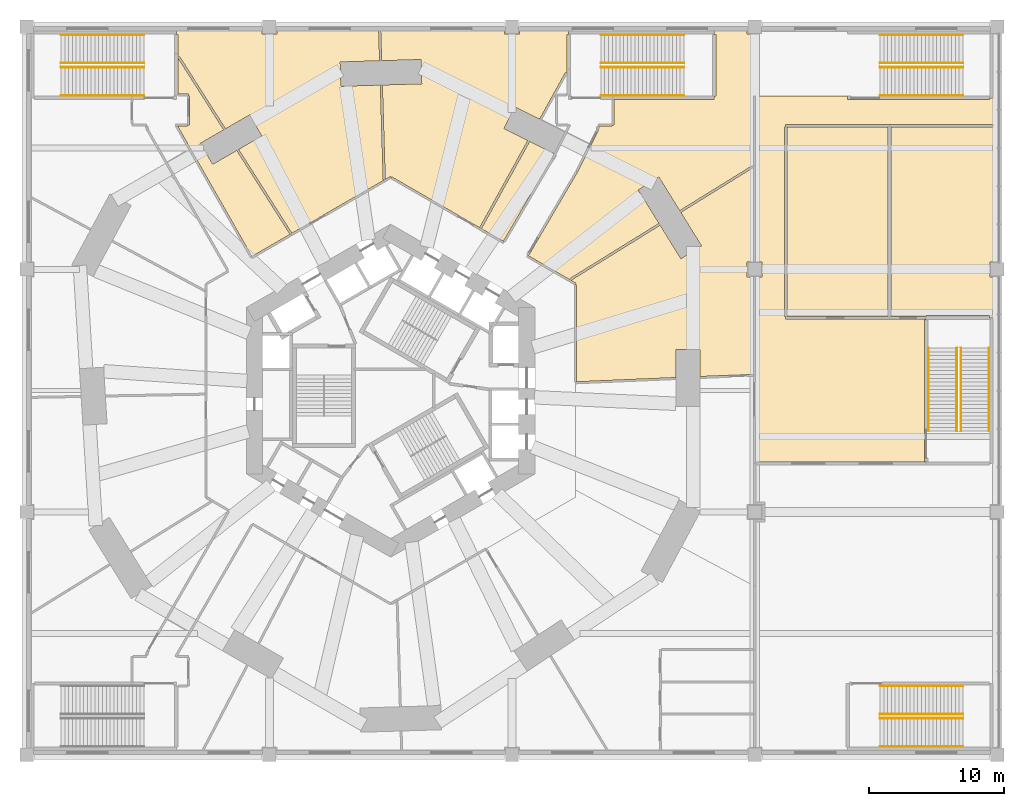
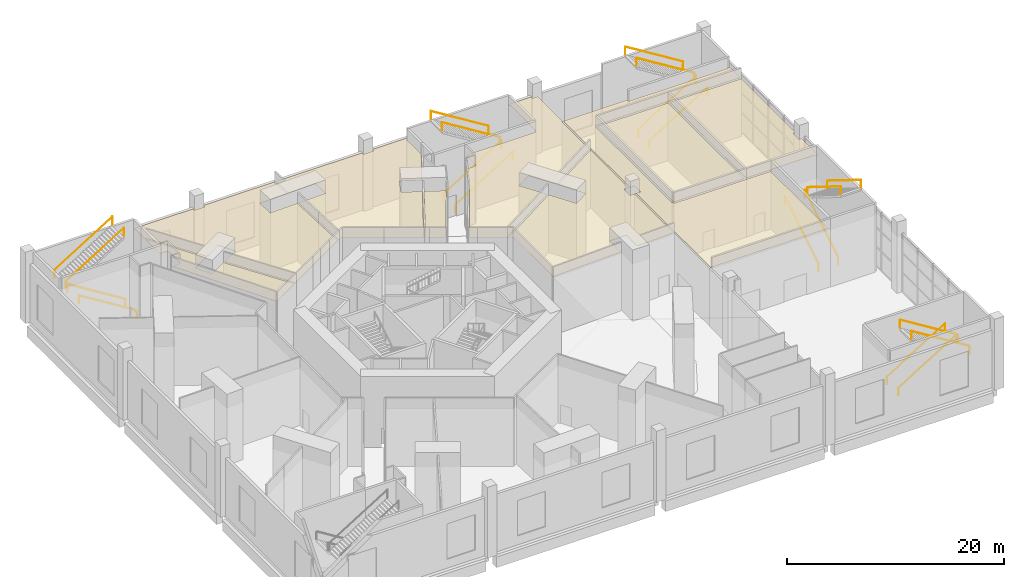
# One storey, part 15 of 15: 20 railings, 9 coverings.
"""IFC4 building model written with IfcOpenShell, lengths in metres."""

from ifc_helpers import new_model, si_unit, direction, frame, origin, origin_2d, place, context, subcontext, project, spatial, polyline, circle, outline, extrude, material, layer, layer_set, type_object, element, save


model = new_model("IFC4")

# Units and contexts
model_context = context("Model", 3, precision=1e-05, world=origin(), true_north=direction((0.0, 1.0)))
body_context = subcontext(model_context, "Body", "Model", "MODEL_VIEW")
ifc_project = project(units=[si_unit("LENGTHUNIT", "METRE"), si_unit("AREAUNIT", "SQUARE_METRE"), si_unit("VOLUMEUNIT", "CUBIC_METRE"), si_unit("PLANEANGLEUNIT", "RADIAN"), si_unit("MASSUNIT", "GRAM", prefix="KILO")], contexts=[model_context])

# Site, building, storey
site_placement = place(None, origin())
site = spatial("IfcSite", under=ifc_project, at=site_placement, CompositionType="ELEMENT")
building_placement = place(site_placement, origin())
building = spatial("IfcBuilding", under=site, at=building_placement, Name="Vanh Sen Convention Tower", CompositionType="ELEMENT")
storey_placement = place(building_placement, frame((0.0, 0.0, 13.0)))
storey = spatial("IfcBuildingStorey", under=building, at=storey_placement, Name="L02", CompositionType="ELEMENT", Elevation=13.0)

# Railings
ifc_material_1 = material(Name="Stainless steel", Category="steel")
railing_type = type_object("IfcRailingType", Name="Podium handrail 900", PredefinedType="HANDRAIL", material=ifc_material_1)
for number, where, name in (
    (1, (36.300048828125, 21.89990234375, 0.173828125), "Handrail PS1 L02"),
    (2, (36.300048828125, 24.0, 0.173828125), "Handrail PS1 L02"),
):
    element("IfcRailing", number, at=place(storey_placement, frame(where)), inside=storey, type_object=railing_type, Name=name, PredefinedType="HANDRAIL", context=body_context, shape_type="SweptSolid", body=[
        extrude(circle(Radius=0.02392578125, at=origin_2d()), frame((0.0, 0.0, 0.8759765625), z_axis=(0.849468459523, 0.0, 0.527639399851), x_axis=(0.0, 1.0, 0.0)), (0.0, 0.0, 1.0), 7.25146484375),
        extrude(circle(Radius=0.02099609375, at=origin_2d()), origin(), (0.0, 0.0, 1.0), 0.851806640625),
        extrude(circle(Radius=0.02099609375, at=origin_2d()), frame((6.159912109375, 0.0, 3.826171875)), (0.0, 0.0, 1.0), 0.851806640625),
    ])
for number, where, name in (
    (3, (42.4599609375, 26.39990234375, 4.173828125), "Handrail PS1 L02"),
    (4, (42.4599609375, 24.300048828125, 4.173828125), "Handrail PS1 L02"),
):
    element("IfcRailing", number, at=place(storey_placement, frame(where)), inside=storey, type_object=railing_type, Name=name, PredefinedType="HANDRAIL", context=body_context, shape_type="SweptSolid", body=[
        extrude(circle(Radius=0.02392578125, at=origin_2d()), frame((0.0, 0.0, 0.8759765625), z_axis=(-0.849468459523, 0.0, 0.527639399851), x_axis=(0.0, -1.0, 0.0)), (0.0, 0.0, 1.0), 7.25146484375),
        extrude(circle(Radius=0.02099609375, at=origin_2d()), origin(), (0.0, 0.0, 1.0), 0.851806640625),
        extrude(circle(Radius=0.02099609375, at=origin_2d()), frame((-6.159912109375, 0.0, 3.826171875)), (0.0, 0.0, 1.0), 0.851806640625),
    ])
for number, where, name in (
    (5, (36.300048828125, -21.89990234375, 0.173828125), "Handrail PS2 L02"),
    (6, (36.300048828125, -24.0, 0.173828125), "Handrail PS2 L02"),
):
    element("IfcRailing", number, at=place(storey_placement, frame(where)), inside=storey, type_object=railing_type, Name=name, PredefinedType="HANDRAIL", context=body_context, shape_type="SweptSolid", body=[
        extrude(circle(Radius=0.02392578125, at=origin_2d()), frame((0.0, 0.0, 0.8759765625), z_axis=(0.849468459523, 0.0, 0.527639399851), x_axis=(0.0, 1.0, 0.0)), (0.0, 0.0, 1.0), 7.25146484375),
        extrude(circle(Radius=0.02099609375, at=origin_2d()), origin(), (0.0, 0.0, 1.0), 0.851806640625),
        extrude(circle(Radius=0.02099609375, at=origin_2d()), frame((6.159912109375, 0.0, 3.826171875)), (0.0, 0.0, 1.0), 0.851806640625),
    ])
for number, where, name in (
    (7, (42.4599609375, -26.39990234375, 4.173828125), "Handrail PS2 L02"),
    (8, (42.4599609375, -24.300048828125, 4.173828125), "Handrail PS2 L02"),
):
    element("IfcRailing", number, at=place(storey_placement, frame(where)), inside=storey, type_object=railing_type, Name=name, PredefinedType="HANDRAIL", context=body_context, shape_type="SweptSolid", body=[
        extrude(circle(Radius=0.02392578125, at=origin_2d()), frame((0.0, 0.0, 0.8759765625), z_axis=(-0.849468459523, 0.0, 0.527639399851), x_axis=(0.0, -1.0, 0.0)), (0.0, 0.0, 1.0), 7.25146484375),
        extrude(circle(Radius=0.02099609375, at=origin_2d()), origin(), (0.0, 0.0, 1.0), 0.851806640625),
        extrude(circle(Radius=0.02099609375, at=origin_2d()), frame((-6.159912109375, 0.0, 3.826171875)), (0.0, 0.0, 1.0), 0.851806640625),
    ])
for number, where, name in (
    (9, (39.89990234375, -3.0, 0.173828125), "Handrail PS3 L02"),
    (10, (42.0, -3.0, 0.173828125), "Handrail PS3 L02"),
):
    element("IfcRailing", number, at=place(storey_placement, frame(where)), inside=storey, type_object=railing_type, Name=name, PredefinedType="HANDRAIL", context=body_context, shape_type="SweptSolid", body=[
        extrude(circle(Radius=0.02392578125, at=origin_2d()), frame((0.0, 0.0, 0.8759765625), z_axis=(0.0, 0.849468459523, 0.527639399851), x_axis=(-1.0, 0.0, 0.0)), (0.0, 0.0, 1.0), 7.25146484375),
        extrude(circle(Radius=0.02099609375, at=origin_2d()), origin(), (0.0, 0.0, 1.0), 0.851806640625),
        extrude(circle(Radius=0.02099609375, at=origin_2d()), frame((0.0, 6.159912109375, 3.826171875)), (0.0, 0.0, 1.0), 0.851806640625),
    ])
for number, where, name in (
    (11, (44.39990234375, 3.159912109375, 4.173828125), "Handrail PS3 L02"),
    (12, (42.300048828125, 3.159912109375, 4.173828125), "Handrail PS3 L02"),
):
    element("IfcRailing", number, at=place(storey_placement, frame(where)), inside=storey, type_object=railing_type, Name=name, PredefinedType="HANDRAIL", context=body_context, shape_type="SweptSolid", body=[
        extrude(circle(Radius=0.02392578125, at=origin_2d()), frame((0.0, 0.0, 0.8759765625), z_axis=(0.0, -0.849468459523, 0.527639399851), x_axis=(1.0, 0.0, 0.0)), (0.0, 0.0, 1.0), 7.25146484375),
        extrude(circle(Radius=0.02099609375, at=origin_2d()), origin(), (0.0, 0.0, 1.0), 0.851806640625),
        extrude(circle(Radius=0.02099609375, at=origin_2d()), frame((0.0, -6.159912109375, 3.826171875)), (0.0, 0.0, 1.0), 0.851806640625),
    ])
for number, where, name in (
    (13, (15.60009765625, 21.89990234375, 0.173828125), "Handrail PS4 L02"),
    (14, (15.60009765625, 24.0, 0.173828125), "Handrail PS4 L02"),
):
    element("IfcRailing", number, at=place(storey_placement, frame(where)), inside=storey, type_object=railing_type, Name=name, PredefinedType="HANDRAIL", context=body_context, shape_type="SweptSolid", body=[
        extrude(circle(Radius=0.02392578125, at=origin_2d()), frame((0.0, 0.0, 0.8759765625), z_axis=(0.849468459523, 0.0, 0.527639399851), x_axis=(0.0, 1.0, 0.0)), (0.0, 0.0, 1.0), 7.25146484375),
        extrude(circle(Radius=0.02099609375, at=origin_2d()), origin(), (0.0, 0.0, 1.0), 0.851806640625),
        extrude(circle(Radius=0.02099609375, at=origin_2d()), frame((6.159912109375, 0.0, 3.826171875)), (0.0, 0.0, 1.0), 0.851806640625),
    ])
for number, where, name in (
    (15, (21.760009765625, 26.39990234375, 4.173828125), "Handrail PS4 L02"),
    (16, (21.760009765625, 24.300048828125, 4.173828125), "Handrail PS4 L02"),
    (17, (-18.300048828125, 21.89990234375, 0.173828125), "Handrail PS5 L02"),
    (18, (-18.300048828125, 24.0, 0.173828125), "Handrail PS5 L02"),
):
    element("IfcRailing", number, at=place(storey_placement, frame(where)), inside=storey, type_object=railing_type, Name=name, PredefinedType="HANDRAIL", context=body_context, shape_type="SweptSolid", body=[
        extrude(circle(Radius=0.02392578125, at=origin_2d()), frame((0.0, 0.0, 0.8759765625), z_axis=(-0.849468459523, 0.0, 0.527639399851), x_axis=(0.0, -1.0, 0.0)), (0.0, 0.0, 1.0), 7.25146484375),
        extrude(circle(Radius=0.02099609375, at=origin_2d()), origin(), (0.0, 0.0, 1.0), 0.851806640625),
        extrude(circle(Radius=0.02099609375, at=origin_2d()), frame((-6.159912109375, 0.0, 3.826171875)), (0.0, 0.0, 1.0), 0.851806640625),
    ])
for number, where, name in (
    (19, (-24.4599609375, 26.39990234375, 4.173828125), "Handrail PS5 L02"),
    (20, (-24.4599609375, 24.300048828125, 4.173828125), "Handrail PS5 L02"),
):
    element("IfcRailing", number, at=place(storey_placement, frame(where)), inside=storey, type_object=railing_type, Name=name, PredefinedType="HANDRAIL", context=body_context, shape_type="SweptSolid", body=[
        extrude(circle(Radius=0.02392578125, at=origin_2d()), frame((0.0, 0.0, 0.8759765625), z_axis=(0.849468459523, 0.0, 0.527639399851), x_axis=(0.0, 1.0, 0.0)), (0.0, 0.0, 1.0), 7.25146484375),
        extrude(circle(Radius=0.02099609375, at=origin_2d()), origin(), (0.0, 0.0, 1.0), 0.851806640625),
        extrude(circle(Radius=0.02099609375, at=origin_2d()), frame((6.159912109375, 0.0, 3.826171875)), (0.0, 0.0, 1.0), 0.851806640625),
    ])

# Coverings
ifc_material_2 = material(Name="Mineral fibre tiles in a concealed grid")
ifc_layer = layer(ifc_material_2, 0.0400390625)
ifc_layer_set = layer_set([ifc_layer], Name="Mineral fibre tiles in a concealed grid")
covering_type = type_object("IfcCoveringType", Name="Suspended ceiling 600 x 600 tile", PredefinedType="CEILING", material=ifc_layer_set)
covering_1_placement = place(storey_placement, frame((0.0, 0.0, 6.4599609375)))
element("IfcCovering", 21, at=covering_1_placement, inside=storey, type_object=covering_type, Name="Suspended ceiling CL3 Pre-function foyer", PredefinedType="CEILING", context=body_context, shape_type="SweptSolid", body=[
    extrude(outline(polyline([(33.89990234375, 21.85009765625), (29.300048828125, 21.85009765625), (27.074951171875, 21.85009765625), (27.074951171875, 16.7080078125), (27.074951171875, 9.550048828125), (27.550048828125, 9.550048828125), (27.550048828125, 8.449951171875), (27.074951171875, 8.449951171875), (27.074951171875, 1.1474609375), (27.074951171875, -5.39990234375), (27.10009765625, -5.39990234375), (27.10009765625, -5.300048828125), (39.72509765625, -5.300048828125), (39.72509765625, -5.27490234375), (39.72509765625, -5.260009765625), (39.60009765625, -5.260009765625), (39.60009765625, 5.260009765625), (39.72509765625, 5.260009765625), (39.72509765625, 5.27490234375), (39.72509765625, 5.300048828125), (37.0, 5.300048828125), (29.300048828125, 5.300048828125), (29.300048828125, 5.39990234375), (29.300048828125, 5.5), (29.199951171875, 5.5), (29.199951171875, 19.550048828125), (29.300048828125, 19.550048828125), (29.300048828125, 19.64990234375), (29.300048828125, 19.75), (37.0, 19.75), (44.699951171875, 19.75), (44.699951171875, 21.72509765625), (44.43994140625, 21.72509765625), (44.43994140625, 21.60009765625), (33.89990234375, 21.60009765625), (33.89990234375, 21.72509765625), (33.89990234375, 21.85009765625)])), origin(), (0.0, 0.0, 1.0), 0.0400390625),
])
covering_2_placement = place(storey_placement, frame((0.0, 0.0, 6.4599609375)))
element("IfcCovering", 22, at=covering_2_placement, inside=storey, type_object=covering_type, Name="Suspended ceiling CL3 Meeting room", PredefinedType="CEILING", context=body_context, shape_type="SweptSolid", body=[
    extrude(outline(polyline([(36.89990234375, 19.550048828125), (29.39990234375, 19.550048828125), (29.39990234375, 5.5), (36.89990234375, 5.5), (36.89990234375, 19.550048828125)])), origin(), (0.0, 0.0, 1.0), 0.0400390625),
])
covering_3_placement = place(storey_placement, frame((0.0, 0.0, 6.4599609375)))
element("IfcCovering", 23, at=covering_3_placement, inside=storey, type_object=covering_type, Name="Suspended ceiling CL3 Meeting room", PredefinedType="CEILING", context=body_context, shape_type="SweptSolid", body=[
    extrude(outline(polyline([(44.43994140625, 5.39990234375), (44.699951171875, 5.39990234375), (44.699951171875, 8.449951171875), (44.449951171875, 8.449951171875), (44.449951171875, 9.550048828125), (44.699951171875, 9.550048828125), (44.699951171875, 19.550048828125), (37.10009765625, 19.550048828125), (37.10009765625, 5.5), (39.72509765625, 5.5), (39.72509765625, 5.52490234375), (44.43994140625, 5.52490234375), (44.43994140625, 5.39990234375)])), origin(), (0.0, 0.0, 1.0), 0.0400390625),
])
covering_4_placement = place(storey_placement, frame((0.0, 0.0, 6.4599609375)))
element("IfcCovering", 24, at=covering_4_placement, inside=storey, type_object=covering_type, Name="Suspended ceiling CL3 Business meeting room", PredefinedType="CEILING", context=body_context, shape_type="SweptSolid", body=[
    extrude(outline(polyline([(26.9169921875, 1.218994140625), (26.919921875, 1.14404296875), (26.925048828125, 1.14453125), (26.925048828125, 1.1474609375), (26.925048828125, 8.449951171875), (26.449951171875, 8.449951171875), (26.449951171875, 9.550048828125), (26.925048828125, 9.550048828125), (26.925048828125, 16.66162109375), (26.881103515625, 16.634521484375), (26.92041015625, 16.570556640625), (21.51904296875, 13.228515625), (21.50830078125, 13.24560546875), (23.058349609375, 10.740966796875), (21.527587890625, 9.793701171875), (19.98828125, 12.281005859375), (13.37109375, 8.18603515625), (13.737548828125, 7.974609375), (13.699951171875, 7.909423828125), (13.699951171875, 7.849609375), (13.77490234375, 7.849609375), (13.77490234375, 0.66259765625), (13.699951171875, 0.66259765625), (13.699951171875, 0.657470703125), (21.14697265625, 0.97412109375), (21.14990234375, 0.89892578125), (21.14990234375, 3.037109375), (22.949951171875, 3.037109375), (22.949951171875, 1.050537109375), (26.9169921875, 1.218994140625)])), origin(), (0.0, 0.0, 1.0), 0.0400390625),
])
covering_5_placement = place(storey_placement, frame((0.0, 0.0, 6.4599609375)))
element("IfcCovering", 25, at=covering_5_placement, inside=storey, type_object=covering_type, Name="Suspended ceiling CL3 Business meeting room", PredefinedType="CEILING", context=body_context, shape_type="SweptSolid", body=[
    extrude(outline(polyline([(13.85546875, 16.220458984375), (13.78857421875, 16.25390625), (13.77197265625, 16.22412109375), (13.83642578125, 16.18603515625), (10.218505859375, 10.011474609375), (10.154052734375, 10.049560546875), (10.151611328125, 10.044921875), (10.87109375, 9.62939453125), (13.262451171875, 8.2490234375), (13.297607421875, 8.22900390625), (13.326904296875, 8.2470703125), (13.28759765625, 8.31103515625), (19.9091796875, 12.408935546875), (18.370361328125, 14.89599609375), (19.90087890625, 15.843017578125), (21.43994140625, 13.35595703125), (26.841552734375, 16.697998046875), (26.881103515625, 16.634521484375), (26.925048828125, 16.66162109375), (26.925048828125, 16.7080078125), (26.925048828125, 21.85009765625), (27.0, 21.85009765625), (27.0, 26.449951171875), (26.449951171875, 26.449951171875), (26.449951171875, 26.699951171875), (24.0, 26.699951171875), (24.0, 26.43994140625), (24.125, 26.43994140625), (24.125, 21.864990234375), (24.0, 21.864990234375), (24.0, 21.85009765625), (24.0, 21.72509765625), (24.0, 21.60009765625), (16.5, 21.60009765625), (16.5, 21.5849609375), (16.574951171875, 21.5849609375), (16.574951171875, 19.72509765625), (16.5, 19.72509765625), (16.425048828125, 19.72509765625), (16.419921875, 19.72509765625), (16.419921875, 19.64990234375), (15.39990234375, 19.64990234375), (15.39990234375, 19.60888671875), (15.472900390625, 19.592041015625), (15.419921875, 19.365966796875), (15.346923828125, 19.383056640625), (15.337890625, 19.364990234375), (15.405029296875, 19.33154296875), (13.85546875, 16.220458984375)])), origin(), (0.0, 0.0, 1.0), 0.0400390625),
])
covering_6_placement = place(storey_placement, frame((0.0, 0.0, 6.4599609375)))
element("IfcCovering", 26, at=covering_6_placement, inside=storey, type_object=covering_type, Name="Suspended ceiling CL3 Business meeting room", PredefinedType="CEILING", context=body_context, shape_type="SweptSolid", body=[
    extrude(outline(polyline([(11.95654296875, 17.22900390625), (12.02099609375, 17.19091796875), (12.030029296875, 17.208984375), (11.962890625, 17.242431640625), (12.1328125, 17.583740234375), (10.245361328125, 18.52490234375), (10.306884765625, 18.490478515625), (6.7333984375, 12.02587890625), (6.66748046875, 12.06201171875), (6.66552734375, 12.0576171875), (6.66650390625, 12.056884765625), (7.032470703125, 11.845947265625), (8.4189453125, 11.04541015625), (8.381591796875, 10.98046875), (8.422119140625, 11.049560546875), (8.35693359375, 11.08740234375), (11.95654296875, 17.22900390625)])), origin(), (0.0, 0.0, 1.0), 0.0400390625),
])
covering_7_placement = place(storey_placement, frame((0.0, 0.0, 6.4599609375)))
element("IfcCovering", 27, at=covering_7_placement, inside=storey, type_object=covering_type, Name="Suspended ceiling CL3 Boardroom", PredefinedType="CEILING", context=body_context, shape_type="SweptSolid", body=[
    extrude(outline(polyline([(-0.03759765625, 15.884521484375), (0.0, 15.819580078125), (0.052001953125, 15.78955078125), (0.089599609375, 15.8544921875), (3.423583984375, 13.929443359375), (6.66552734375, 12.0576171875), (6.66748046875, 12.06201171875), (6.60205078125, 12.098388671875), (10.174560546875, 18.560302734375), (8.396484375, 19.44677734375), (9.19970703125, 21.0576171875), (11.11181640625, 20.104248046875), (11.047607421875, 20.139892578125), (12.950439453125, 23.58203125), (13.01611328125, 23.5458984375), (13.074951171875, 23.652587890625), (13.074951171875, 23.87841796875), (13.074951171875, 26.43994140625), (13.199951171875, 26.43994140625), (13.199951171875, 26.699951171875), (9.550048828125, 26.699951171875), (9.550048828125, 26.449951171875), (8.449951171875, 26.449951171875), (8.449951171875, 26.699951171875), (-0.740478515625, 26.699951171875), (-0.672607421875, 24.47900390625), (2.250732421875, 24.568359375), (2.305908203125, 22.769287109375), (-0.617919921875, 22.679931640625), (-0.50390625, 18.947998046875), (-0.404052734375, 15.673095703125), (-0.03759765625, 15.884521484375)])), origin(), (0.0, 0.0, 1.0), 0.0400390625),
])
covering_8_placement = place(storey_placement, frame((0.0, 0.0, 6.4599609375)))
element("IfcCovering", 28, at=covering_8_placement, inside=storey, type_object=covering_type, Name="Suspended ceiling CL3 Business meeting room", PredefinedType="CEILING", context=body_context, shape_type="SweptSolid", body=[
    extrude(outline(polyline([(-0.512451171875, 15.610107421875), (-0.4775390625, 15.630615234375), (-0.478515625, 15.6650390625), (-0.553466796875, 15.6630859375), (-0.654052734375, 18.943115234375), (-0.76806640625, 22.67529296875), (-3.69140625, 22.5859375), (-3.746337890625, 24.38525390625), (-0.822509765625, 24.474609375), (-0.890380859375, 26.697509765625), (-0.8154296875, 26.699951171875), (-8.449951171875, 26.699951171875), (-8.449951171875, 26.449951171875), (-9.550048828125, 26.449951171875), (-9.550048828125, 26.699951171875), (-15.89990234375, 26.699951171875), (-15.89990234375, 26.43994140625), (-15.77490234375, 26.43994140625), (-15.77490234375, 25.021484375), (-15.77490234375, 24.824951171875), (-15.717529296875, 24.734619140625), (-15.654541015625, 24.77490234375), (-12.256591796875, 19.427490234375), (-12.320068359375, 19.387451171875), (-12.31982421875, 19.387451171875), (-10.468017578125, 20.45654296875), (-9.568115234375, 18.897705078125), (-11.288818359375, 17.904296875), (-7.333984375, 11.680908203125), (-7.3974609375, 11.64111328125), (-7.39501953125, 11.636962890625), (-7.39208984375, 11.638427734375), (-4.722412109375, 13.179443359375), (-3.49755859375, 13.886962890625), (-2.12451171875, 14.679443359375), (-0.512451171875, 15.610107421875)])), origin(), (0.0, 0.0, 1.0), 0.0400390625),
])
covering_9_placement = place(storey_placement, frame((0.0, 0.0, 6.4599609375)))
element("IfcCovering", 29, at=covering_9_placement, inside=storey, type_object=covering_type, Name="Suspended ceiling CL3 Business meeting room", PredefinedType="CEILING", context=body_context, shape_type="SweptSolid", body=[
    extrude(outline(polyline([(-11.4169921875, 17.826416015625), (-11.35400390625, 17.86669921875), (-13.205322265625, 16.7978515625), (-14.10546875, 18.356689453125), (-12.384521484375, 19.35009765625), (-15.77490234375, 24.68505859375), (-15.77490234375, 21.925048828125), (-15.760009765625, 21.925048828125), (-15.760009765625, 22.0), (-15.0, 22.0), (-15.0, 21.925048828125), (-15.0, 21.85009765625), (-15.0, 21.844970703125), (-14.925048828125, 21.844970703125), (-14.925048828125, 19.72509765625), (-15.0, 19.72509765625), (-15.074951171875, 19.72509765625), (-15.080078125, 19.72509765625), (-15.080078125, 19.64990234375), (-15.819580078125, 19.64990234375), (-10.294921875, 9.967041015625), (-10.360107421875, 9.929931640625), (-10.357421875, 9.925537109375), (-7.39501953125, 11.636962890625), (-7.3974609375, 11.64111328125), (-7.46044921875, 11.60107421875), (-11.4169921875, 17.826416015625)])), origin(), (0.0, 0.0, 1.0), 0.0400390625),
])

save(model, "model.ifc")
